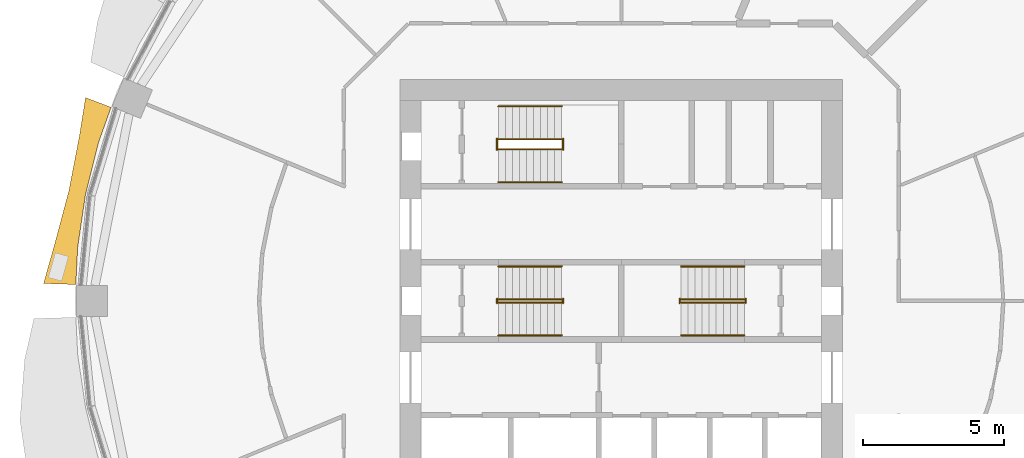
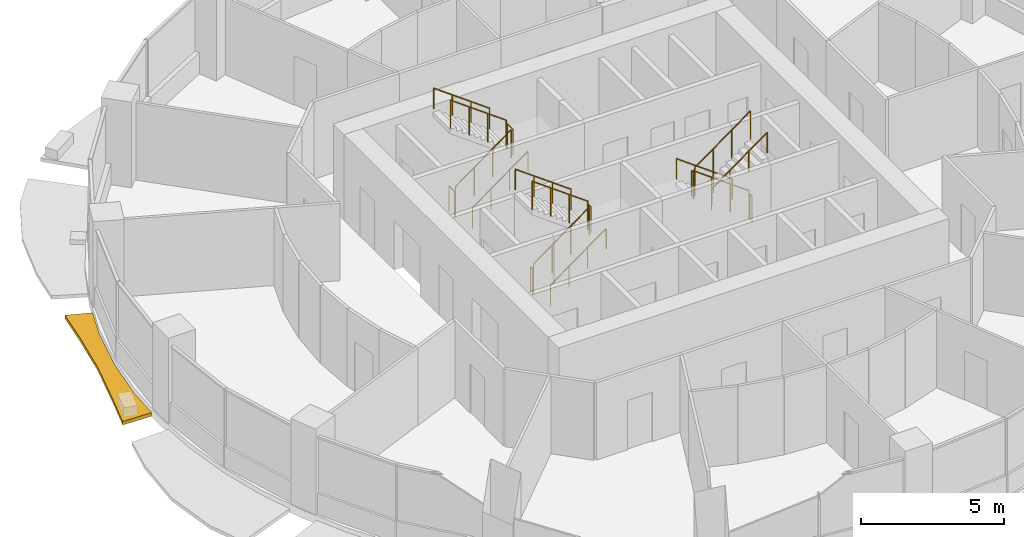
# One storey, part 13 of 15: 18 railings, 1 shading device.
"""IFC4 building model written with IfcOpenShell, lengths in metres."""

import ifcopenshell
import ifcopenshell.guid

model = None  # the IFC model being written
_history = None  # IfcOwnerHistory: only IFC2X3 demands one
_inside = {}  # id of a spatial element -> (the spatial element, [elements in it])
_under = {}  # id of a project, library or spatial element -> (it, [spatial elements below it])
_declared = {}  # id of a project -> (the project, [libraries it declares])
_typed = {}  # id of a type object -> (the type object, [elements of that type])
_made_of = {}  # id of a material, layer set ... -> (it, [elements and type objects made of it])


def new_model(schema):
    """Start an empty IFC model of exactly this schema.

    Asked for "IFC4X3", IfcOpenShell would pick the latest addendum, in which some entities
    have other attributes; the version numbers below select the first issue.
    IFC2X3 requires an IfcOwnerHistory on every rooted entity: one is made here for all.
    """
    global model, _history
    if schema == "IFC4X3":
        model = ifcopenshell.file(schema_version=(4, 3, 0, 0))
    else:
        model = ifcopenshell.file(schema=schema)
    _inside.clear()
    _under.clear()
    _declared.clear()
    _typed.clear()
    _made_of.clear()
    _history = None
    if model.schema == "IFC2X3":
        org = make("IfcOrganization", Name="unknown")
        user = make(
            "IfcPersonAndOrganization",
            ThePerson=make("IfcPerson", FamilyName="unknown"),
            TheOrganization=org,
        )
        app = make(
            "IfcApplication",
            ApplicationDeveloper=org,
            Version="unknown",
            ApplicationFullName="unknown",
            ApplicationIdentifier="unknown",
        )
        _history = make(
            "IfcOwnerHistory",
            OwningUser=user,
            OwningApplication=app,
            ChangeAction="ADDED",
            CreationDate=0,
        )
    return model


def make(cls, **values):
    """One entity of the class cls with the attributes given. An attribute that is None is left unset."""
    return model.create_entity(
        cls, **{name: value for name, value in values.items() if value is not None}
    )


def rooted(cls, **values):
    """An entity with a GlobalId (a new one), such as an element, a storey or a relation."""
    return make(cls, GlobalId=ifcopenshell.guid.new(), OwnerHistory=_history, **values)


def si_unit(unit_type, name, prefix=None):
    """IfcSIUnit, for example si_unit("LENGTHUNIT", "METRE", prefix="MILLI")."""
    return make("IfcSIUnit", UnitType=unit_type, Prefix=prefix, Name=name)


def assignment(units):
    """IfcUnitAssignment: the units of a project."""
    return None if units is None else make("IfcUnitAssignment", Units=units)


def point(xyz):
    """IfcCartesianPoint."""
    return None if xyz is None else make("IfcCartesianPoint", Coordinates=xyz)


def direction(xyz):
    """IfcDirection."""
    return None if xyz is None else make("IfcDirection", DirectionRatios=xyz)


def frame(location, z_axis=None, x_axis=None):
    """IfcAxis2Placement3D, a coordinate frame: its origin and axes. An axis left out is left unset."""
    return make(
        "IfcAxis2Placement3D",
        Location=point(location),
        Axis=direction(z_axis),
        RefDirection=direction(x_axis),
    )


def frame_2d(location, x_axis=None):
    """IfcAxis2Placement2D, a coordinate frame in the plane: its origin and x axis."""
    return make(
        "IfcAxis2Placement2D", Location=point(location), RefDirection=direction(x_axis)
    )


def origin():
    """The frame at (0, 0, 0) with its axes left unset."""
    return frame((0.0, 0.0, 0.0))


def origin_2d():
    """The frame at (0, 0) in the plane with its x axis left unset."""
    return frame_2d((0.0, 0.0))


def place(relative_to, where):
    """IfcLocalPlacement: puts the frame where relative to a parent placement (None: the world)."""
    return make(
        "IfcLocalPlacement", PlacementRelTo=relative_to, RelativePlacement=where
    )


def context(
    kind, dimensions, precision=None, world=None, true_north=None, identifier=None
):
    """IfcGeometricRepresentationContext, for example the 3D "Model" context."""
    return make(
        "IfcGeometricRepresentationContext",
        ContextIdentifier=identifier,
        ContextType=kind,
        CoordinateSpaceDimension=dimensions,
        Precision=precision,
        WorldCoordinateSystem=world,
        TrueNorth=true_north,
    )


def subcontext(parent, identifier, kind, view, scale=None):
    """IfcGeometricRepresentationSubContext, for example "Body" below "Model"."""
    return make(
        "IfcGeometricRepresentationSubContext",
        ContextIdentifier=identifier,
        ContextType=kind,
        ParentContext=parent,
        TargetScale=scale,
        TargetView=view,
    )


def project(units=None, contexts=None):
    """IfcProject with its units and contexts."""
    return rooted(
        "IfcProject",
        Name="project",
        RepresentationContexts=contexts,
        UnitsInContext=assignment(units),
    )


def spatial(cls, under=None, at=None, **own):
    """A site, building, storey or space (cls), placed at a placement, below another one or the project."""
    s = rooted(cls, ObjectPlacement=at, **own)
    if under is not None:
        _under.setdefault(under.id(), (under, []))[1].append(s)
    return s


def polyline(points):
    """IfcPolyline through the points."""
    return make("IfcPolyline", Points=[point(p) for p in points])


def profile(cls, at=None, kind="AREA", **sizes):
    """A parametric profile (cls). Its sizes go by their IFC names, for example OverallWidth=200.0."""
    return make(cls, ProfileType=kind, Position=at, **sizes)


def circle(**sizes):
    """IfcCircleProfileDef."""
    return profile("IfcCircleProfileDef", **sizes)


def outline(outer, holes=None, kind="AREA"):
    """IfcArbitraryClosedProfileDef: a profile drawn as a closed curve; with holes, ...WithVoids."""
    if holes is None:
        return make("IfcArbitraryClosedProfileDef", ProfileType=kind, OuterCurve=outer)
    return make(
        "IfcArbitraryProfileDefWithVoids",
        ProfileType=kind,
        OuterCurve=outer,
        InnerCurves=holes,
    )


def extrude(swept, where, along, depth):
    """IfcExtrudedAreaSolid: the profile swept, set in the frame where, extruded along a direction by depth."""
    return make(
        "IfcExtrudedAreaSolid",
        SweptArea=swept,
        Position=where,
        ExtrudedDirection=direction(along),
        Depth=depth,
    )


def shape(context_of_items, identifier, shape_type, items):
    """IfcShapeRepresentation: the items that make up one representation, for example the "Body"."""
    return make(
        "IfcShapeRepresentation",
        ContextOfItems=context_of_items,
        RepresentationIdentifier=identifier,
        RepresentationType=shape_type,
        Items=items,
    )


def material(Name=None, Category=None):
    """IfcMaterial."""
    return make("IfcMaterial", Name=Name, Category=Category)


def made_of(thing, what):
    """Note that an element or type object is made of a material, layer set ...; save() writes the relation."""
    if what is not None:
        _made_of.setdefault(what.id(), (what, []))[1].append(thing)
    return thing


def type_object(cls, material=None, **own):
    """A type object (cls), such as IfcWallType, which elements share."""
    return made_of(rooted(cls, **own), material)


def element(
    cls,
    number,
    at=None,
    inside=None,
    cuts=None,
    type_object=None,
    material=None,
    context=None,
    identifier="Body",
    shape_type=None,
    held_by="IfcProductDefinitionShape",
    body=None,
    shapes=None,
    **own,
):
    """One element of the class cls, such as IfcWall. Its Tag is "e" and its number.

    at: its placement. inside: the storey or other place that contains it. cuts: it is an
    opening in that element (IfcRelVoidsElement). A single representation is given by context,
    identifier, shape_type and body (its items); several are given by shapes. held_by: the class
    of the entity that holds the representations. save() writes the other relations.
    """
    e = rooted(cls, Tag="e%d" % number, ObjectPlacement=at, **own)
    if body is not None:
        shapes = [shape(context, identifier, shape_type, body)]
    if shapes is not None:
        e.Representation = make(held_by, Representations=shapes)
    if inside is not None:
        _inside.setdefault(inside.id(), (inside, []))[1].append(e)
    if cuts is not None:
        rooted(
            "IfcRelVoidsElement", RelatingBuildingElement=cuts, RelatedOpeningElement=e
        )
    if type_object is not None:
        _typed.setdefault(type_object.id(), (type_object, []))[1].append(e)
    return made_of(e, material)


def aggregate(whole, parts):
    """IfcRelAggregates: a whole, such as a stair, and the parts it consists of."""
    return rooted("IfcRelAggregates", RelatingObject=whole, RelatedObjects=parts)


def save(model, path):
    """Write the relations noted so far, then the file.

    IfcRelAggregates (storeys below a building ...), IfcRelContainedInSpatialStructure (elements
    in a storey), IfcRelDefinesByType, IfcRelAssociatesMaterial and IfcRelDeclares: one each for
    every whole, place, type object, material and project.
    """
    for whole, parts in _under.values():
        aggregate(whole, parts)
    for where, things in _inside.values():
        rooted(
            "IfcRelContainedInSpatialStructure",
            RelatedElements=things,
            RelatingStructure=where,
        )
    for kind, things in _typed.values():
        rooted("IfcRelDefinesByType", RelatedObjects=things, RelatingType=kind)
    for what, things in _made_of.values():
        rooted("IfcRelAssociatesMaterial", RelatedObjects=things, RelatingMaterial=what)
    for by, libraries in _declared.values():
        rooted("IfcRelDeclares", RelatingContext=by, RelatedDefinitions=libraries)
    model.write(path)


model = new_model("IFC4")

# Units and contexts
model_context = context("Model", 3, precision=1e-05, world=origin(), true_north=direction((0.0, 1.0)))
body_context = subcontext(model_context, "Body", "Model", "MODEL_VIEW")
ifc_project = project(units=[si_unit("LENGTHUNIT", "METRE"), si_unit("AREAUNIT", "SQUARE_METRE"), si_unit("VOLUMEUNIT", "CUBIC_METRE"), si_unit("PLANEANGLEUNIT", "RADIAN"), si_unit("MASSUNIT", "GRAM", prefix="KILO")], contexts=[model_context])

# Site, building, storey
site_placement = place(None, origin())
site = spatial("IfcSite", under=ifc_project, at=site_placement, CompositionType="ELEMENT")
building_placement = place(site_placement, origin())
building = spatial("IfcBuilding", under=site, at=building_placement, Name="Polderwave Tower", CompositionType="ELEMENT")
storey_placement = place(building_placement, frame((0.0, 0.0, 80.050048828125)))
storey = spatial("IfcBuildingStorey", under=building, at=storey_placement, Name="L20", CompositionType="ELEMENT", Elevation=80.050048828125)

# Railings
ifc_material_1 = material(Name="Stainless steel", Category="steel")
railing_type_1 = type_object("IfcRailingType", Name="Stair guard 1100", PredefinedType="GUARDRAIL", material=ifc_material_1)
railing_1_placement = place(storey_placement, frame((-4.3740234375, -0.051025390625, 0.062255859375)))
element("IfcRailing", 1, at=railing_1_placement, inside=storey, type_object=railing_type_1, Name="L20 ST-A stair guard 1", PredefinedType="GUARDRAIL", context=body_context, shape_type="SweptSolid", body=[
    extrude(circle(Radius=0.02392578125, at=origin_2d()), frame((0.0, 0.0, 1.1962890625), z_axis=(0.807673635365, 0.0, 0.58962979804), x_axis=(0.0, 1.0, 0.0)), (0.0, 0.0, 1.0), 2.785888671875),
    extrude(circle(Radius=0.02392578125, at=origin_2d()), origin(), (0.0, 0.0, 1.0), 1.172119140625),
    extrude(circle(Radius=0.02392578125, at=origin_2d()), frame((0.75, 0.0, 0.547607421875)), (0.0, 0.0, 1.0), 1.172119140625),
    extrude(circle(Radius=0.02392578125, at=origin_2d()), frame((1.5, 0.0, 1.094970703125)), (0.0, 0.0, 1.0), 1.172119140625),
    extrude(circle(Radius=0.02392578125, at=origin_2d()), frame((2.25, 0.0, 1.642578125)), (0.0, 0.0, 1.0), 1.172119140625),
])
railing_2_placement = place(storey_placement, frame((-2.073974609375, -0.074951171875, 1.824951171875)))
element("IfcRailing", 2, at=railing_2_placement, inside=storey, type_object=railing_type_1, Name="L20 ST-A stair guard 2", PredefinedType="GUARDRAIL", context=body_context, shape_type="SweptSolid", body=[
    extrude(circle(Radius=0.02392578125, at=origin_2d()), frame((0.0, 0.0, 1.076171875), z_axis=(0.0, 1.0, 0.0), x_axis=(-1.0, 0.0, 0.0)), (0.0, 0.0, 1.0), 0.14990234375),
    extrude(circle(Radius=0.02099609375, at=origin_2d()), origin(), (0.0, 0.0, 1.0), 1.052001953125),
    extrude(circle(Radius=0.02099609375, at=origin_2d()), frame((0.0, 0.14990234375, 0.0)), (0.0, 0.0, 1.0), 1.052001953125),
])
railing_3_placement = place(storey_placement, frame((-2.1240234375, 0.051025390625, 1.887451171875)))
element("IfcRailing", 3, at=railing_3_placement, inside=storey, type_object=railing_type_1, Name="L20 ST-A stair guard 3", PredefinedType="GUARDRAIL", context=body_context, shape_type="SweptSolid", body=[
    extrude(circle(Radius=0.02392578125, at=origin_2d()), frame((0.0, 0.0, 1.1962890625), z_axis=(-0.807715371301, 0.0, 0.589572623995), x_axis=(0.0, -1.0, 0.0)), (0.0, 0.0, 1.0), 2.78564453125),
    extrude(circle(Radius=0.02392578125, at=origin_2d()), origin(), (0.0, 0.0, 1.0), 1.172119140625),
    extrude(circle(Radius=0.02392578125, at=origin_2d()), frame((-0.75, 0.0, 0.54736328125)), (0.0, 0.0, 1.0), 1.172119140625),
    extrude(circle(Radius=0.02392578125, at=origin_2d()), frame((-1.5, 0.0, 1.094970703125)), (0.0, 0.0, 1.0), 1.172119140625),
    extrude(circle(Radius=0.02392578125, at=origin_2d()), frame((-2.25, 0.0, 1.642333984375)), (0.0, 0.0, 1.0), 1.172119140625),
])
railing_4_placement = place(storey_placement, frame((-4.424072265625, -0.074951171875, 0.0)))
element("IfcRailing", 4, at=railing_4_placement, inside=storey, type_object=railing_type_1, Name="L20 ST-A stair guard 4", PredefinedType="GUARDRAIL", context=body_context, shape_type="SweptSolid", body=[
    extrude(circle(Radius=0.02392578125, at=origin_2d()), frame((0.0, 0.0, 1.076171875), z_axis=(0.0, 1.0, 0.0), x_axis=(-1.0, 0.0, 0.0)), (0.0, 0.0, 1.0), 0.14990234375),
    extrude(circle(Radius=0.02099609375, at=origin_2d()), origin(), (0.0, 0.0, 1.0), 1.052001953125),
    extrude(circle(Radius=0.02099609375, at=origin_2d()), frame((0.0, 0.14990234375, 0.0)), (0.0, 0.0, 1.0), 1.052001953125),
])
railing_5_placement = place(storey_placement, frame((4.3740234375, 0.051025390625, 0.062255859375)))
element("IfcRailing", 5, at=railing_5_placement, inside=storey, type_object=railing_type_1, Name="L20 ST-B stair guard 1", PredefinedType="GUARDRAIL", context=body_context, shape_type="SweptSolid", body=[
    extrude(circle(Radius=0.02392578125, at=origin_2d()), frame((0.0, 0.0, 1.1962890625), z_axis=(-0.807673635365, 0.0, 0.58962979804), x_axis=(0.0, -1.0, 0.0)), (0.0, 0.0, 1.0), 2.785888671875),
    extrude(circle(Radius=0.02392578125, at=origin_2d()), origin(), (0.0, 0.0, 1.0), 1.172119140625),
    extrude(circle(Radius=0.02392578125, at=origin_2d()), frame((-0.75, 0.0, 0.547607421875)), (0.0, 0.0, 1.0), 1.172119140625),
    extrude(circle(Radius=0.02392578125, at=origin_2d()), frame((-1.5, 0.0, 1.094970703125)), (0.0, 0.0, 1.0), 1.172119140625),
    extrude(circle(Radius=0.02392578125, at=origin_2d()), frame((-2.25, 0.0, 1.642578125)), (0.0, 0.0, 1.0), 1.172119140625),
])
railing_6_placement = place(storey_placement, frame((2.073974609375, 0.074951171875, 1.824951171875)))
element("IfcRailing", 6, at=railing_6_placement, inside=storey, type_object=railing_type_1, Name="L20 ST-B stair guard 2", PredefinedType="GUARDRAIL", context=body_context, shape_type="SweptSolid", body=[
    extrude(circle(Radius=0.02392578125, at=origin_2d()), frame((0.0, 0.0, 1.076171875), z_axis=(0.0, -1.0, 0.0), x_axis=(1.0, 0.0, 0.0)), (0.0, 0.0, 1.0), 0.14990234375),
    extrude(circle(Radius=0.02099609375, at=origin_2d()), origin(), (0.0, 0.0, 1.0), 1.052001953125),
    extrude(circle(Radius=0.02099609375, at=origin_2d()), frame((0.0, -0.14990234375, 0.0)), (0.0, 0.0, 1.0), 1.052001953125),
])
railing_7_placement = place(storey_placement, frame((2.1240234375, -0.051025390625, 1.887451171875)))
element("IfcRailing", 7, at=railing_7_placement, inside=storey, type_object=railing_type_1, Name="L20 ST-B stair guard 3", PredefinedType="GUARDRAIL", context=body_context, shape_type="SweptSolid", body=[
    extrude(circle(Radius=0.02392578125, at=origin_2d()), frame((0.0, 0.0, 1.1962890625), z_axis=(0.807715371301, 0.0, 0.589572623995), x_axis=(0.0, 1.0, 0.0)), (0.0, 0.0, 1.0), 2.78564453125),
    extrude(circle(Radius=0.02392578125, at=origin_2d()), origin(), (0.0, 0.0, 1.0), 1.172119140625),
    extrude(circle(Radius=0.02392578125, at=origin_2d()), frame((0.75, 0.0, 0.54736328125)), (0.0, 0.0, 1.0), 1.172119140625),
    extrude(circle(Radius=0.02392578125, at=origin_2d()), frame((1.5, 0.0, 1.094970703125)), (0.0, 0.0, 1.0), 1.172119140625),
    extrude(circle(Radius=0.02392578125, at=origin_2d()), frame((2.25, 0.0, 1.642333984375)), (0.0, 0.0, 1.0), 1.172119140625),
])
railing_8_placement = place(storey_placement, frame((4.424072265625, 0.074951171875, 0.0)))
element("IfcRailing", 8, at=railing_8_placement, inside=storey, type_object=railing_type_1, Name="L20 ST-B stair guard 4", PredefinedType="GUARDRAIL", context=body_context, shape_type="SweptSolid", body=[
    extrude(circle(Radius=0.02392578125, at=origin_2d()), frame((0.0, 0.0, 1.076171875), z_axis=(0.0, -1.0, 0.0), x_axis=(1.0, 0.0, 0.0)), (0.0, 0.0, 1.0), 0.14990234375),
    extrude(circle(Radius=0.02099609375, at=origin_2d()), origin(), (0.0, 0.0, 1.0), 1.052001953125),
    extrude(circle(Radius=0.02099609375, at=origin_2d()), frame((0.0, -0.14990234375, 0.0)), (0.0, 0.0, 1.0), 1.052001953125),
])
railing_9_placement = place(storey_placement, frame((-4.3740234375, 5.39794921875, 0.062255859375)))
element("IfcRailing", 9, at=railing_9_placement, inside=storey, type_object=railing_type_1, Name="L20 ST-C stair guard 1", PredefinedType="GUARDRAIL", context=body_context, shape_type="SweptSolid", body=[
    extrude(circle(Radius=0.02392578125, at=origin_2d()), frame((0.0, 0.0, 1.1962890625), z_axis=(0.807673635365, 0.0, 0.58962979804), x_axis=(0.0, 1.0, 0.0)), (0.0, 0.0, 1.0), 2.785888671875),
    extrude(circle(Radius=0.02392578125, at=origin_2d()), origin(), (0.0, 0.0, 1.0), 1.172119140625),
    extrude(circle(Radius=0.02392578125, at=origin_2d()), frame((0.75, 0.0, 0.547607421875)), (0.0, 0.0, 1.0), 1.172119140625),
    extrude(circle(Radius=0.02392578125, at=origin_2d()), frame((1.5, 0.0, 1.094970703125)), (0.0, 0.0, 1.0), 1.172119140625),
    extrude(circle(Radius=0.02392578125, at=origin_2d()), frame((2.25, 0.0, 1.642578125)), (0.0, 0.0, 1.0), 1.172119140625),
])
railing_10_placement = place(storey_placement, frame((-2.073974609375, 5.3740234375, 1.824951171875)))
element("IfcRailing", 10, at=railing_10_placement, inside=storey, type_object=railing_type_1, Name="L20 ST-C stair guard 2", PredefinedType="GUARDRAIL", context=body_context, shape_type="SweptSolid", body=[
    extrude(circle(Radius=0.02392578125, at=origin_2d()), frame((0.0, 0.0, 1.076171875), z_axis=(0.0, 1.0, 0.0), x_axis=(-1.0, 0.0, 0.0)), (0.0, 0.0, 1.0), 0.39990234375),
    extrude(circle(Radius=0.02099609375, at=origin_2d()), origin(), (0.0, 0.0, 1.0), 1.052001953125),
    extrude(circle(Radius=0.02099609375, at=origin_2d()), frame((0.0, 0.39990234375, 0.0)), (0.0, 0.0, 1.0), 1.052001953125),
])
railing_11_placement = place(storey_placement, frame((-2.1240234375, 5.75, 1.887451171875)))
element("IfcRailing", 11, at=railing_11_placement, inside=storey, type_object=railing_type_1, Name="L20 ST-C stair guard 3", PredefinedType="GUARDRAIL", context=body_context, shape_type="SweptSolid", body=[
    extrude(circle(Radius=0.02392578125, at=origin_2d()), frame((0.0, 0.0, 1.1962890625), z_axis=(-0.807715371301, 0.0, 0.589572623995), x_axis=(0.0, -1.0, 0.0)), (0.0, 0.0, 1.0), 2.78564453125),
    extrude(circle(Radius=0.02392578125, at=origin_2d()), origin(), (0.0, 0.0, 1.0), 1.172119140625),
    extrude(circle(Radius=0.02392578125, at=origin_2d()), frame((-0.75, 0.0, 0.54736328125)), (0.0, 0.0, 1.0), 1.172119140625),
    extrude(circle(Radius=0.02392578125, at=origin_2d()), frame((-1.5, 0.0, 1.094970703125)), (0.0, 0.0, 1.0), 1.172119140625),
    extrude(circle(Radius=0.02392578125, at=origin_2d()), frame((-2.25, 0.0, 1.642333984375)), (0.0, 0.0, 1.0), 1.172119140625),
])
railing_12_placement = place(storey_placement, frame((-4.424072265625, 5.3740234375, 0.0)))
element("IfcRailing", 12, at=railing_12_placement, inside=storey, type_object=railing_type_1, Name="L20 ST-C stair guard 4", PredefinedType="GUARDRAIL", context=body_context, shape_type="SweptSolid", body=[
    extrude(circle(Radius=0.02392578125, at=origin_2d()), frame((0.0, 0.0, 1.076171875), z_axis=(0.0, 1.0, 0.0), x_axis=(-1.0, 0.0, 0.0)), (0.0, 0.0, 1.0), 0.39990234375),
    extrude(circle(Radius=0.02099609375, at=origin_2d()), origin(), (0.0, 0.0, 1.0), 1.052001953125),
    extrude(circle(Radius=0.02099609375, at=origin_2d()), frame((0.0, 0.39990234375, 0.0)), (0.0, 0.0, 1.0), 1.052001953125),
])
railing_type_2 = type_object("IfcRailingType", Name="Stair handrail 900", PredefinedType="HANDRAIL", material=ifc_material_1)
railing_13_placement = place(storey_placement, frame((-4.3740234375, -1.22509765625, 0.182373046875)))
element("IfcRailing", 13, at=railing_13_placement, inside=storey, type_object=railing_type_2, Name="L20 ST-A stair handrail 1", PredefinedType="HANDRAIL", context=body_context, shape_type="SweptSolid", body=[
    extrude(circle(Radius=0.02392578125, at=origin_2d()), frame((0.0, 0.0, 0.8759765625), z_axis=(0.807673635365, 0.0, 0.58962979804), x_axis=(0.0, 1.0, 0.0)), (0.0, 0.0, 1.0), 2.785888671875),
    extrude(circle(Radius=0.02099609375, at=origin_2d()), origin(), (0.0, 0.0, 1.0), 0.851806640625),
    extrude(circle(Radius=0.02099609375, at=origin_2d()), frame((0.75, 0.0, 0.547607421875)), (0.0, 0.0, 1.0), 0.851806640625),
    extrude(circle(Radius=0.02099609375, at=origin_2d()), frame((1.5, 0.0, 1.094970703125)), (0.0, 0.0, 1.0), 0.851806640625),
    extrude(circle(Radius=0.02099609375, at=origin_2d()), frame((2.25, 0.0, 1.642578125)), (0.0, 0.0, 1.0), 0.851806640625),
])
railing_14_placement = place(storey_placement, frame((-2.1240234375, 1.22509765625, 2.007568359375)))
element("IfcRailing", 14, at=railing_14_placement, inside=storey, type_object=railing_type_2, Name="L20 ST-A stair handrail 2", PredefinedType="HANDRAIL", context=body_context, shape_type="SweptSolid", body=[
    extrude(circle(Radius=0.02392578125, at=origin_2d()), frame((0.0, 0.0, 0.8759765625), z_axis=(-0.807715371301, 0.0, 0.589572623995), x_axis=(0.0, -1.0, 0.0)), (0.0, 0.0, 1.0), 2.78564453125),
    extrude(circle(Radius=0.02099609375, at=origin_2d()), origin(), (0.0, 0.0, 1.0), 0.851806640625),
    extrude(circle(Radius=0.02099609375, at=origin_2d()), frame((-0.75, 0.0, 0.54736328125)), (0.0, 0.0, 1.0), 0.851806640625),
    extrude(circle(Radius=0.02099609375, at=origin_2d()), frame((-1.5, 0.0, 1.094970703125)), (0.0, 0.0, 1.0), 0.851806640625),
    extrude(circle(Radius=0.02099609375, at=origin_2d()), frame((-2.25, 0.0, 1.642333984375)), (0.0, 0.0, 1.0), 0.851806640625),
])
railing_15_placement = place(storey_placement, frame((4.3740234375, 1.22509765625, 0.182373046875)))
element("IfcRailing", 15, at=railing_15_placement, inside=storey, type_object=railing_type_2, Name="L20 ST-B stair handrail 1", PredefinedType="HANDRAIL", context=body_context, shape_type="SweptSolid", body=[
    extrude(circle(Radius=0.02392578125, at=origin_2d()), frame((0.0, 0.0, 0.8759765625), z_axis=(-0.807673635365, 0.0, 0.58962979804), x_axis=(0.0, -1.0, 0.0)), (0.0, 0.0, 1.0), 2.785888671875),
    extrude(circle(Radius=0.02099609375, at=origin_2d()), origin(), (0.0, 0.0, 1.0), 0.851806640625),
    extrude(circle(Radius=0.02099609375, at=origin_2d()), frame((-0.75, 0.0, 0.547607421875)), (0.0, 0.0, 1.0), 0.851806640625),
    extrude(circle(Radius=0.02099609375, at=origin_2d()), frame((-1.5, 0.0, 1.094970703125)), (0.0, 0.0, 1.0), 0.851806640625),
    extrude(circle(Radius=0.02099609375, at=origin_2d()), frame((-2.25, 0.0, 1.642578125)), (0.0, 0.0, 1.0), 0.851806640625),
])
railing_16_placement = place(storey_placement, frame((2.1240234375, -1.22509765625, 2.007568359375)))
element("IfcRailing", 16, at=railing_16_placement, inside=storey, type_object=railing_type_2, Name="L20 ST-B stair handrail 2", PredefinedType="HANDRAIL", context=body_context, shape_type="SweptSolid", body=[
    extrude(circle(Radius=0.02392578125, at=origin_2d()), frame((0.0, 0.0, 0.8759765625), z_axis=(0.807715371301, 0.0, 0.589572623995), x_axis=(0.0, 1.0, 0.0)), (0.0, 0.0, 1.0), 2.78564453125),
    extrude(circle(Radius=0.02099609375, at=origin_2d()), origin(), (0.0, 0.0, 1.0), 0.851806640625),
    extrude(circle(Radius=0.02099609375, at=origin_2d()), frame((0.75, 0.0, 0.54736328125)), (0.0, 0.0, 1.0), 0.851806640625),
    extrude(circle(Radius=0.02099609375, at=origin_2d()), frame((1.5, 0.0, 1.094970703125)), (0.0, 0.0, 1.0), 0.851806640625),
    extrude(circle(Radius=0.02099609375, at=origin_2d()), frame((2.25, 0.0, 1.642333984375)), (0.0, 0.0, 1.0), 0.851806640625),
])
railing_17_placement = place(storey_placement, frame((-4.3740234375, 4.22412109375, 0.182373046875)))
element("IfcRailing", 17, at=railing_17_placement, inside=storey, type_object=railing_type_2, Name="L20 ST-C stair handrail 1", PredefinedType="HANDRAIL", context=body_context, shape_type="SweptSolid", body=[
    extrude(circle(Radius=0.02392578125, at=origin_2d()), frame((0.0, 0.0, 0.8759765625), z_axis=(0.807673635365, 0.0, 0.58962979804), x_axis=(0.0, 1.0, 0.0)), (0.0, 0.0, 1.0), 2.785888671875),
    extrude(circle(Radius=0.02099609375, at=origin_2d()), origin(), (0.0, 0.0, 1.0), 0.851806640625),
    extrude(circle(Radius=0.02099609375, at=origin_2d()), frame((0.75, 0.0, 0.547607421875)), (0.0, 0.0, 1.0), 0.851806640625),
    extrude(circle(Radius=0.02099609375, at=origin_2d()), frame((1.5, 0.0, 1.094970703125)), (0.0, 0.0, 1.0), 0.851806640625),
    extrude(circle(Radius=0.02099609375, at=origin_2d()), frame((2.25, 0.0, 1.642578125)), (0.0, 0.0, 1.0), 0.851806640625),
])
railing_18_placement = place(storey_placement, frame((-2.1240234375, 6.924072265625, 2.007568359375)))
element("IfcRailing", 18, at=railing_18_placement, inside=storey, type_object=railing_type_2, Name="L20 ST-C stair handrail 2", PredefinedType="HANDRAIL", context=body_context, shape_type="SweptSolid", body=[
    extrude(circle(Radius=0.02392578125, at=origin_2d()), frame((0.0, 0.0, 0.8759765625), z_axis=(-0.807715371301, 0.0, 0.589572623995), x_axis=(0.0, -1.0, 0.0)), (0.0, 0.0, 1.0), 2.78564453125),
    extrude(circle(Radius=0.02099609375, at=origin_2d()), origin(), (0.0, 0.0, 1.0), 0.851806640625),
    extrude(circle(Radius=0.02099609375, at=origin_2d()), frame((-0.75, 0.0, 0.54736328125)), (0.0, 0.0, 1.0), 0.851806640625),
    extrude(circle(Radius=0.02099609375, at=origin_2d()), frame((-1.5, 0.0, 1.094970703125)), (0.0, 0.0, 1.0), 0.851806640625),
    extrude(circle(Radius=0.02099609375, at=origin_2d()), frame((-2.25, 0.0, 1.642333984375)), (0.0, 0.0, 1.0), 0.851806640625),
])

# Shading device
ifc_material_2 = material(Name="Terracotta", Category="masonry")
shading_device_type = type_object("IfcShadingDeviceType", Name="Terracotta sunshade band", PredefinedType="USERDEFINED", material=ifc_material_2)
shading_device_placement = place(storey_placement, frame((0.0, 0.0, -0.35009765625)))
element("IfcShadingDevice", 19, at=shading_device_placement, inside=storey, type_object=shading_device_type, Name="Sunshade band L20 8", ObjectType="SUNSHADE", PredefinedType="USERDEFINED", context=body_context, shape_type="SweptSolid", body=[
    extrude(outline(polyline([(-18.156982421875, 6.88916015625), (-18.602783203125, 5.64306640625), (-19.06640625, 3.79248046875), (-19.346435546875, 1.905517578125), (-19.411376953125, 0.583740234375), (-20.559814453125, 0.618408203125), (-20.173828125, 1.987060546875), (-19.660400390625, 3.91064453125), (-19.286865234375, 5.8505859375), (-19.06640625, 7.234130859375), (-18.156982421875, 6.88916015625)])), origin(), (0.0, 0.0, 1.0), 0.150146484375),
])

save(model, "model.ifc")
